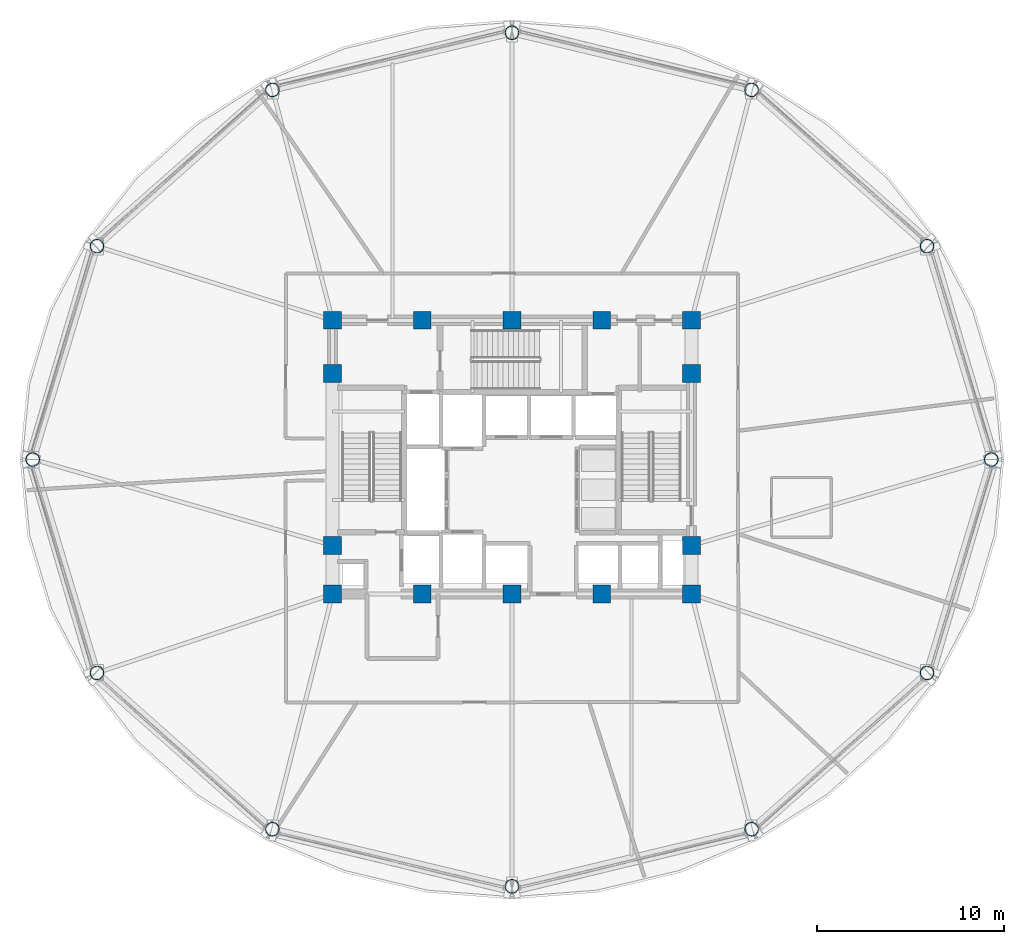
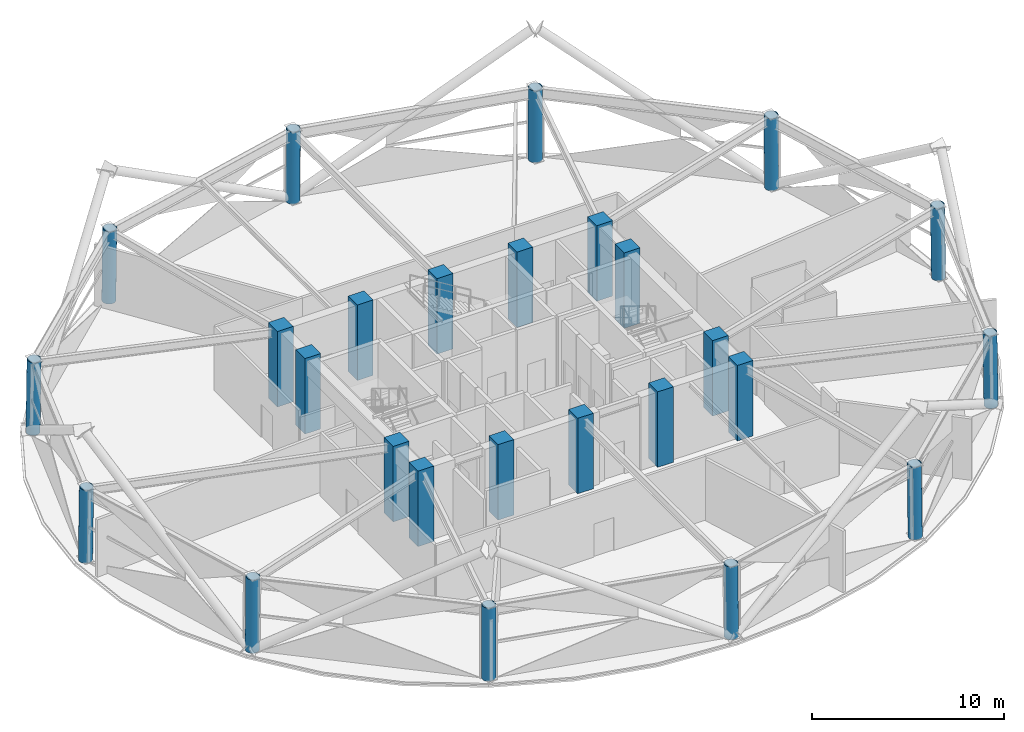
# One storey, part 1 of 17: 26 columns.
"""IFC4 building model written with IfcOpenShell, lengths in metres."""

from ifc_helpers import new_model, si_unit, direction, frame, origin, origin_2d, place, context, subcontext, project, spatial, rectangle, hollow_circle, extrude, material, material_profile, profile_set, type_object, element, save


model = new_model("IFC4")

# Units and contexts
model_context = context("Model", 3, precision=1e-05, world=origin(), true_north=direction((0.0, 1.0)))
body_context = subcontext(model_context, "Body", "Model", "MODEL_VIEW")
ifc_project = project(units=[si_unit("LENGTHUNIT", "METRE"), si_unit("AREAUNIT", "SQUARE_METRE"), si_unit("VOLUMEUNIT", "CUBIC_METRE"), si_unit("PLANEANGLEUNIT", "RADIAN"), si_unit("MASSUNIT", "GRAM", prefix="KILO")], contexts=[model_context])

# Site, building, storey
site_placement = place(None, origin())
site = spatial("IfcSite", under=ifc_project, at=site_placement, CompositionType="ELEMENT")
building_placement = place(site_placement, origin())
building = spatial("IfcBuilding", under=site, at=building_placement, Name="Vantalir Tower", CompositionType="ELEMENT")
storey_placement = place(building_placement, frame((0.0, 0.0, 96.14990234375)))
storey = spatial("IfcBuildingStorey", under=building, at=storey_placement, Name="L23", CompositionType="ELEMENT", Elevation=96.14990234375)

# Columns
ifc_material_1 = material(Name="Concrete C60/75", Category="concrete")
ifc_material_profile_1 = material_profile(ifc_material_1, rectangle(XDim=0.949951171875, YDim=0.949951171875, at=origin_2d()), Name="Concrete C60/75")
ifc_profile_set_1 = profile_set([ifc_material_profile_1], Name="Concrete C60/75")
column_type_1 = type_object("IfcColumnType", Name="COL-CC-950", PredefinedType="COLUMN", material=ifc_profile_set_1)
for number, where, z_axis, x_axis, name in (
    (1, (21.89990234375, 17.800048828125, 0.0), (0.0, 0.0, 1.0), (1.0, 0.0, 0.0), "L23 Core Column CC01"),
    (2, (26.699951171875, 17.800048828125, 0.0), (0.0, 0.0, 1.0), (1.0, 0.0, 0.0), "L23 Core Column CC02"),
    (3, (31.5, 17.800048828125, 0.0), (0.0, 0.0, 1.0), (1.0, 0.0, 0.0), "L23 Core Column CC03"),
    (4, (36.300048828125, 17.800048828125, 0.0), (0.0, 0.0, 1.0), (1.0, 0.0, 0.0), "L23 Core Column CC04"),
    (5, (41.10009765625, 17.800048828125, 0.0), (0.0, 0.0, 1.0), (1.0, 0.0, 0.0), "L23 Core Column CC05"),
    (6, (21.89990234375, 20.39990234375, 0.0), (0.0, 0.0, 1.0), (1.0, 0.0, 0.0), "L23 Core Column CC06"),
    (7, (21.89990234375, 29.60009765625, 0.0), (0.0, 0.0, 1.0), (1.0, 0.0, 0.0), "L23 Core Column CC07"),
    (8, (41.10009765625, 20.39990234375, 0.0), (0.0, 0.0, 1.0), (1.0, 0.0, 0.0), "L23 Core Column CC08"),
    (9, (41.10009765625, 29.60009765625, 0.0), (0.0, 0.0, 1.0), (1.0, 0.0, 0.0), "L23 Core Column CC09"),
    (10, (21.89990234375, 32.449951171875, 0.0), (0.0, 0.0, 1.0), (1.0, 0.0, 0.0), "L23 Core Column CC10"),
    (11, (26.699951171875, 32.449951171875, 0.0), (0.0, 0.0, 1.0), (1.0, 0.0, 0.0), "L23 Core Column CC11"),
    (12, (31.5, 32.449951171875, 0.0), (0.0, 0.0, 1.0), (1.0, 0.0, 0.0), "L23 Core Column CC12"),
    (13, (36.300048828125, 32.449951171875, 0.0), (0.0, 0.0, 1.0), (1.0, 0.0, 0.0), "L23 Core Column CC13"),
    (14, (41.10009765625, 32.449951171875, 0.0), (0.0, 0.0, 1.0), (1.0, 0.0, 0.0), "L23 Core Column CC14"),
):
    element("IfcColumn", number, at=place(storey_placement, frame(where, z_axis=z_axis, x_axis=x_axis)), inside=storey, type_object=column_type_1, Name=name, PredefinedType="COLUMN", context=body_context, shape_type="SweptSolid", body=[
        extrude(rectangle(XDim=0.949951171875, YDim=0.949951171875, at=origin_2d()), origin(), (0.0, 0.0, 1.0), 4.800048828125),
    ])
ifc_material_2 = material(Name="Steel S460", Category="steel")
ifc_material_profile_2 = material_profile(ifc_material_2, hollow_circle(Radius=0.375, WallThickness=0.034912109375, at=origin_2d()), Name="Steel S460")
ifc_profile_set_2 = profile_set([ifc_material_profile_2], Name="Steel S460")
column_type_2 = type_object("IfcColumnType", Name="COL-RC-750", PredefinedType="COLUMN", material=ifc_profile_set_2)
for number, where, z_axis, x_axis, name in (
    (15, (57.14990234375, 25.0, 0.0), (-0.013420900637, 0.0, 0.999909935657), (0.0, -1.0, 0.0), "L23 Perimeter Ring Column RC01"),
    (16, (53.714111328125, 36.4208984375, 0.0), (-0.011730129795, -0.005812226475, 0.999914307368), (0.4439817233, -0.896035841569, 0.0), "L23 Perimeter Ring Column RC02"),
):
    element("IfcColumn", number, at=place(storey_placement, frame(where, z_axis=z_axis, x_axis=x_axis)), inside=storey, type_object=column_type_2, Name=name, PredefinedType="COLUMN", context=body_context, shape_type="SweptSolid", body=[
        extrude(hollow_circle(Radius=0.375, WallThickness=0.034912109375, at=origin_2d()), origin(), (0.0, 0.0, 1.0), 4.62060546875),
    ])
for number, where, z_axis, x_axis, name in (
    (17, (44.324951171875, 44.782958984375, 0.0), (-0.006710543723, -0.010356429682, 0.999923853584), (0.839225358586, -0.543783778267, 0.0), "L23 Perimeter Ring Column RC03"),
    (18, (31.5, 47.843017578125, 0.0), (0.0, -0.011888823622, 0.999929325439), (1.0, 0.0, 0.0), "L23 Perimeter Ring Column RC04"),
    (19, (18.675048828125, 44.782958984375, 0.0), (0.006710543723, -0.010356429682, 0.999923853584), (0.839225358586, 0.543783778267, 0.0), "L23 Perimeter Ring Column RC05"),
):
    element("IfcColumn", number, at=place(storey_placement, frame(where, z_axis=z_axis, x_axis=x_axis)), inside=storey, type_object=column_type_2, Name=name, PredefinedType="COLUMN", context=body_context, shape_type="SweptSolid", body=[
        extrude(hollow_circle(Radius=0.375, WallThickness=0.034912109375, at=origin_2d()), origin(), (0.0, 0.0, 1.0), 4.620361328125),
    ])
for number, where, z_axis, x_axis, name in (
    (20, (9.285888671875, 36.4208984375, 0.0), (0.011730129795, -0.005812226475, 0.999914307368), (0.4439817233, 0.896035841569, 0.0), "L23 Perimeter Ring Column RC06"),
    (21, (5.85009765625, 25.0, 0.0), (0.013420900637, 0.0, 0.999909935657), (0.0, 1.0, 0.0), "L23 Perimeter Ring Column RC07"),
    (22, (9.285888671875, 13.577880859375, 0.0), (0.011730111373, 0.006076409045, 0.999912737063), (-0.459966883577, 0.887936070904, 0.0), "L23 Perimeter Ring Column RC08"),
):
    element("IfcColumn", number, at=place(storey_placement, frame(where, z_axis=z_axis, x_axis=x_axis)), inside=storey, type_object=column_type_2, Name=name, PredefinedType="COLUMN", context=body_context, shape_type="SweptSolid", body=[
        extrude(hollow_circle(Radius=0.375, WallThickness=0.034912109375, at=origin_2d()), origin(), (0.0, 0.0, 1.0), 4.62060546875),
    ])
for number, where, z_axis, x_axis, name in (
    (23, (18.675048828125, 5.217041015625, 0.0), (0.006710543723, 0.010356429682, 0.999923853584), (-0.839225358586, 0.543783778267, 0.0), "L23 Perimeter Ring Column RC09"),
    (24, (31.5, 2.156982421875, 0.0), (0.0, 0.011888823622, 0.999929325439), (-1.0, 0.0, 0.0), "L23 Perimeter Ring Column RC10"),
    (25, (44.324951171875, 5.217041015625, 0.0), (-0.006710543723, 0.010356429682, 0.999923853584), (-0.839225358586, -0.543783778267, 0.0), "L23 Perimeter Ring Column RC11"),
):
    element("IfcColumn", number, at=place(storey_placement, frame(where, z_axis=z_axis, x_axis=x_axis)), inside=storey, type_object=column_type_2, Name=name, PredefinedType="COLUMN", context=body_context, shape_type="SweptSolid", body=[
        extrude(hollow_circle(Radius=0.375, WallThickness=0.034912109375, at=origin_2d()), origin(), (0.0, 0.0, 1.0), 4.620361328125),
    ])
column_placement = place(storey_placement, frame((53.714111328125, 13.577880859375, 0.0), z_axis=(-0.011730111373, 0.006076409045, 0.999912737063), x_axis=(-0.459966883577, -0.887936070904, 0.0)))
element("IfcColumn", 26, at=column_placement, inside=storey, type_object=column_type_2, Name="L23 Perimeter Ring Column RC12", PredefinedType="COLUMN", context=body_context, shape_type="SweptSolid", body=[
    extrude(hollow_circle(Radius=0.375, WallThickness=0.034912109375, at=origin_2d()), origin(), (0.0, 0.0, 1.0), 4.62060546875),
])

save(model, "model.ifc")
